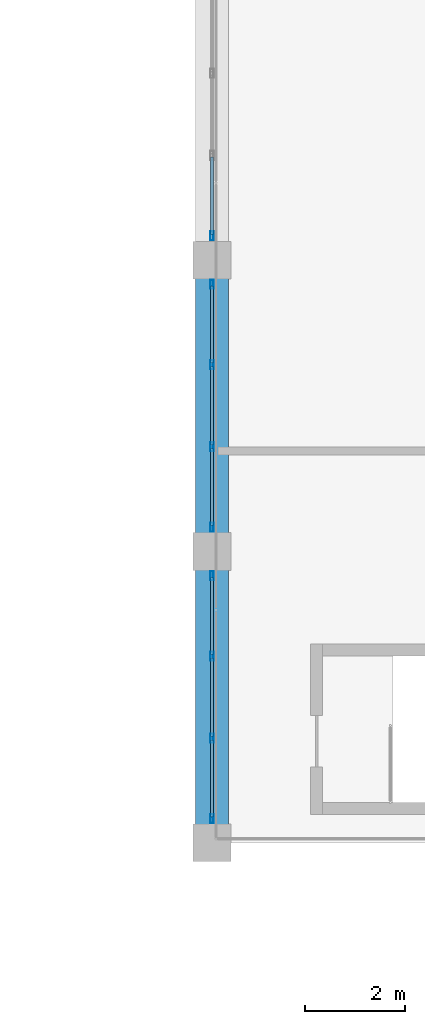
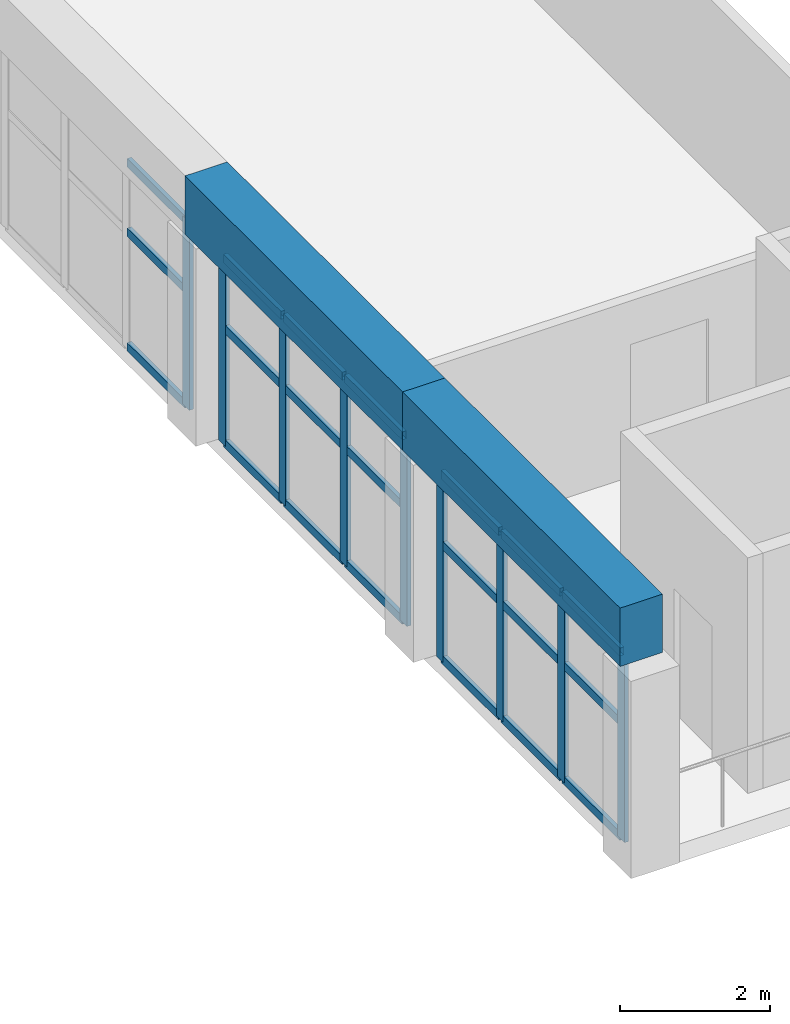
# One storey, part 28 of 128: 30 members, 2 beams, 3 elements without a shape of their own.
"""IFC4 building model written with IfcOpenShell, lengths in metres."""

from ifc_helpers import new_model, si_unit, direction, frame, origin, origin_2d, place, context, subcontext, project, spatial, rectangle, hollow_rectangle, extrude, material, material_profile, profile_set, type_object, element, aggregate, save


model = new_model("IFC4")

# Units and contexts
model_context = context("Model", 3, precision=1e-05, world=origin(), true_north=direction((0.0, 1.0)))
body_context = subcontext(model_context, "Body", "Model", "MODEL_VIEW")
ifc_project = project(units=[si_unit("LENGTHUNIT", "METRE"), si_unit("AREAUNIT", "SQUARE_METRE"), si_unit("VOLUMEUNIT", "CUBIC_METRE"), si_unit("PLANEANGLEUNIT", "RADIAN"), si_unit("MASSUNIT", "GRAM", prefix="KILO")], contexts=[model_context])

# Site, building, storey
site_placement = place(None, origin())
site = spatial("IfcSite", under=ifc_project, at=site_placement, CompositionType="ELEMENT")
building_placement = place(site_placement, origin())
building = spatial("IfcBuilding", under=site, at=building_placement, Name="Tanwirah Colonnade Gardens", CompositionType="ELEMENT")
storey_placement = place(building_placement, frame((0.0, 0.0, 4.760009765625)))
storey = spatial("IfcBuildingStorey", under=building, at=storey_placement, Name="L01", CompositionType="ELEMENT", Elevation=4.760009765625)

# Curtain wall, members
ifc_material_1 = material(Name="Bronze-anodised aluminium and solar-control low-E glass", Category="aluminium")
curtain_wall_type = type_object("IfcCurtainWallType", Name="CW-HALL", PredefinedType="NOTDEFINED", material=ifc_material_1)
curtain_wall_1_placement = place(storey_placement, origin())
curtain_wall_1 = element("IfcCurtainWall", 1, at=curtain_wall_1_placement, inside=storey, type_object=curtain_wall_type, Name="Curtain Wall CW-HALL-L01-W-1", PredefinedType="NOTDEFINED")
ifc_material_2 = material(Name="Bronze-anodised aluminium", Category="aluminium")
ifc_material_profile_1 = material_profile(ifc_material_2, hollow_rectangle(XDim=0.06494140625, YDim=0.179931640625, WallThickness=0.00390625, at=origin_2d()), Name="CW-MUL 65x180x4")
ifc_profile_set_1 = profile_set([ifc_material_profile_1], Name="Bronze-anodised aluminium")
member_type_1 = type_object("IfcMemberType", Name="CWM-65x180", PredefinedType="MULLION", material=ifc_profile_set_1)
member_1_placement = place(storey_placement, frame((78.0, 40.282470703125, 0.0), z_axis=(0.0, 0.0, 1.0), x_axis=(-1.0, 0.0, 0.0)))
member_1 = element("IfcMember", 2, at=member_1_placement, type_object=member_type_1, Name="CW-HALL mullion 1", PredefinedType="MULLION", context=body_context, shape_type="SweptSolid", body=[
    extrude(hollow_rectangle(XDim=0.06494140625, YDim=0.179931640625, WallThickness=0.00390625, at=origin_2d()), origin(), (0.0, 0.0, 1.0), 3.06005859375),
])
member_2_placement = place(storey_placement, frame((78.0, 41.88330078125, 0.0), z_axis=(0.0, 0.0, 1.0), x_axis=(-1.0, 0.0, 0.0)))
member_2 = element("IfcMember", 3, at=member_2_placement, type_object=member_type_1, Name="CW-HALL mullion 2", PredefinedType="MULLION", context=body_context, shape_type="SweptSolid", body=[
    extrude(hollow_rectangle(XDim=0.06494140625, YDim=0.179931640625, WallThickness=0.00390625, at=origin_2d()), origin(), (0.0, 0.0, 1.0), 3.06005859375),
])
member_3_placement = place(storey_placement, frame((78.0, 43.5166015625, 0.0), z_axis=(0.0, 0.0, 1.0), x_axis=(-1.0, 0.0, 0.0)))
member_3 = element("IfcMember", 4, at=member_3_placement, type_object=member_type_1, Name="CW-HALL mullion 3", PredefinedType="MULLION", context=body_context, shape_type="SweptSolid", body=[
    extrude(hollow_rectangle(XDim=0.06494140625, YDim=0.179931640625, WallThickness=0.00390625, at=origin_2d()), origin(), (0.0, 0.0, 1.0), 3.06005859375),
])
member_4_placement = place(storey_placement, frame((78.0, 45.117431640625, 0.0), z_axis=(0.0, 0.0, 1.0), x_axis=(-1.0, 0.0, 0.0)))
member_4 = element("IfcMember", 5, at=member_4_placement, type_object=member_type_1, Name="CW-HALL mullion 4", PredefinedType="MULLION", context=body_context, shape_type="SweptSolid", body=[
    extrude(hollow_rectangle(XDim=0.06494140625, YDim=0.179931640625, WallThickness=0.00390625, at=origin_2d()), origin(), (0.0, 0.0, 1.0), 3.06005859375),
])

curtain_wall_2_placement = place(storey_placement, origin())
curtain_wall_2 = element("IfcCurtainWall", 6, at=curtain_wall_2_placement, inside=storey, type_object=curtain_wall_type, Name="Curtain Wall CW-HALL-L01-W-2", PredefinedType="NOTDEFINED")
member_5_placement = place(storey_placement, frame((78.0, 46.08251953125, 0.0), z_axis=(0.0, 0.0, 1.0), x_axis=(-1.0, 0.0, 0.0)))
member_5 = element("IfcMember", 7, at=member_5_placement, type_object=member_type_1, Name="CW-HALL mullion 1", PredefinedType="MULLION", context=body_context, shape_type="SweptSolid", body=[
    extrude(hollow_rectangle(XDim=0.06494140625, YDim=0.179931640625, WallThickness=0.00390625, at=origin_2d()), origin(), (0.0, 0.0, 1.0), 3.06005859375),
])
member_6_placement = place(storey_placement, frame((78.0, 47.683349609375, 0.0), z_axis=(0.0, 0.0, 1.0), x_axis=(-1.0, 0.0, 0.0)))
member_6 = element("IfcMember", 8, at=member_6_placement, type_object=member_type_1, Name="CW-HALL mullion 2", PredefinedType="MULLION", context=body_context, shape_type="SweptSolid", body=[
    extrude(hollow_rectangle(XDim=0.06494140625, YDim=0.179931640625, WallThickness=0.00390625, at=origin_2d()), origin(), (0.0, 0.0, 1.0), 3.06005859375),
])
member_7_placement = place(storey_placement, frame((78.0, 49.316650390625, 0.0), z_axis=(0.0, 0.0, 1.0), x_axis=(-1.0, 0.0, 0.0)))
member_7 = element("IfcMember", 9, at=member_7_placement, type_object=member_type_1, Name="CW-HALL mullion 3", PredefinedType="MULLION", context=body_context, shape_type="SweptSolid", body=[
    extrude(hollow_rectangle(XDim=0.06494140625, YDim=0.179931640625, WallThickness=0.00390625, at=origin_2d()), origin(), (0.0, 0.0, 1.0), 3.06005859375),
])
member_8_placement = place(storey_placement, frame((78.0, 50.91748046875, 0.0), z_axis=(0.0, 0.0, 1.0), x_axis=(-1.0, 0.0, 0.0)))
member_8 = element("IfcMember", 10, at=member_8_placement, type_object=member_type_1, Name="CW-HALL mullion 4", PredefinedType="MULLION", context=body_context, shape_type="SweptSolid", body=[
    extrude(hollow_rectangle(XDim=0.06494140625, YDim=0.179931640625, WallThickness=0.00390625, at=origin_2d()), origin(), (0.0, 0.0, 1.0), 3.06005859375),
])

# Curtain wall, member
curtain_wall_3_placement = place(storey_placement, origin())
curtain_wall_3 = element("IfcCurtainWall", 11, at=curtain_wall_3_placement, inside=storey, type_object=curtain_wall_type, Name="Curtain Wall CW-HALL-L01-W-3", PredefinedType="NOTDEFINED")
member_9_placement = place(storey_placement, frame((78.0, 51.882568359375, 0.0), z_axis=(0.0, 0.0, 1.0), x_axis=(-1.0, 0.0, 0.0)))
member_9 = element("IfcMember", 12, at=member_9_placement, type_object=member_type_1, Name="CW-HALL mullion 1", PredefinedType="MULLION", context=body_context, shape_type="SweptSolid", body=[
    extrude(hollow_rectangle(XDim=0.06494140625, YDim=0.179931640625, WallThickness=0.00390625, at=origin_2d()), origin(), (0.0, 0.0, 1.0), 3.06005859375),
])

# Member
ifc_material_profile_2 = material_profile(ifc_material_2, hollow_rectangle(XDim=0.06494140625, YDim=0.135009765625, WallThickness=0.00390625, at=origin_2d()), Name="CW-TRN 65x135x4")
ifc_profile_set_2 = profile_set([ifc_material_profile_2], Name="Bronze-anodised aluminium")
member_type_2 = type_object("IfcMemberType", Name="CWT-65x135", PredefinedType="USERDEFINED", material=ifc_profile_set_2)
member_10_placement = place(storey_placement, frame((78.0, 40.31494140625, 0.032470703125), z_axis=(0.0, 1.0, 0.0), x_axis=(-1.0, 0.0, 0.0)))
member_10 = element("IfcMember", 13, at=member_10_placement, type_object=member_type_2, Name="CW-HALL transom 1.1", ObjectType="TRANSOM", PredefinedType="USERDEFINED", context=body_context, shape_type="SweptSolid", body=[
    extrude(hollow_rectangle(XDim=0.06494140625, YDim=0.135009765625, WallThickness=0.00390625, at=origin_2d()), origin(), (0.0, 0.0, 1.0), 1.535888671875),
])

member_11_placement = place(storey_placement, frame((78.0, 40.31494140625, 1.897216796875), z_axis=(0.0, 1.0, 0.0), x_axis=(-1.0, 0.0, 0.0)))
member_11 = element("IfcMember", 14, at=member_11_placement, type_object=member_type_2, Name="CW-HALL transom 1.2", ObjectType="TRANSOM", PredefinedType="USERDEFINED", context=body_context, shape_type="SweptSolid", body=[
    extrude(hollow_rectangle(XDim=0.06494140625, YDim=0.135009765625, WallThickness=0.00390625, at=origin_2d()), origin(), (0.0, 0.0, 1.0), 1.535888671875),
])

member_12_placement = place(storey_placement, frame((78.0, 40.31494140625, 3.027587890625), z_axis=(0.0, 1.0, 0.0), x_axis=(-1.0, 0.0, 0.0)))
member_12 = element("IfcMember", 15, at=member_12_placement, type_object=member_type_2, Name="CW-HALL transom 1.3", ObjectType="TRANSOM", PredefinedType="USERDEFINED", context=body_context, shape_type="SweptSolid", body=[
    extrude(hollow_rectangle(XDim=0.06494140625, YDim=0.135009765625, WallThickness=0.00390625, at=origin_2d()), origin(), (0.0, 0.0, 1.0), 1.535888671875),
])

member_13_placement = place(storey_placement, frame((78.0, 41.915771484375, 0.032470703125), z_axis=(0.0, 1.0, 0.0), x_axis=(-1.0, 0.0, 0.0)))
member_13 = element("IfcMember", 16, at=member_13_placement, type_object=member_type_2, Name="CW-HALL transom 2.1", ObjectType="TRANSOM", PredefinedType="USERDEFINED", context=body_context, shape_type="SweptSolid", body=[
    extrude(hollow_rectangle(XDim=0.06494140625, YDim=0.135009765625, WallThickness=0.00390625, at=origin_2d()), origin(), (0.0, 0.0, 1.0), 1.568359375),
])

member_14_placement = place(storey_placement, frame((78.0, 41.915771484375, 1.897216796875), z_axis=(0.0, 1.0, 0.0), x_axis=(-1.0, 0.0, 0.0)))
member_14 = element("IfcMember", 17, at=member_14_placement, type_object=member_type_2, Name="CW-HALL transom 2.2", ObjectType="TRANSOM", PredefinedType="USERDEFINED", context=body_context, shape_type="SweptSolid", body=[
    extrude(hollow_rectangle(XDim=0.06494140625, YDim=0.135009765625, WallThickness=0.00390625, at=origin_2d()), origin(), (0.0, 0.0, 1.0), 1.568359375),
])

member_15_placement = place(storey_placement, frame((78.0, 41.915771484375, 3.027587890625), z_axis=(0.0, 1.0, 0.0), x_axis=(-1.0, 0.0, 0.0)))
member_15 = element("IfcMember", 18, at=member_15_placement, type_object=member_type_2, Name="CW-HALL transom 2.3", ObjectType="TRANSOM", PredefinedType="USERDEFINED", context=body_context, shape_type="SweptSolid", body=[
    extrude(hollow_rectangle(XDim=0.06494140625, YDim=0.135009765625, WallThickness=0.00390625, at=origin_2d()), origin(), (0.0, 0.0, 1.0), 1.568359375),
])

member_16_placement = place(storey_placement, frame((78.0, 43.549072265625, 0.032470703125), z_axis=(0.0, 1.0, 0.0), x_axis=(-1.0, 0.0, 0.0)))
member_16 = element("IfcMember", 19, at=member_16_placement, type_object=member_type_2, Name="CW-HALL transom 3.1", ObjectType="TRANSOM", PredefinedType="USERDEFINED", context=body_context, shape_type="SweptSolid", body=[
    extrude(hollow_rectangle(XDim=0.06494140625, YDim=0.135009765625, WallThickness=0.00390625, at=origin_2d()), origin(), (0.0, 0.0, 1.0), 1.535888671875),
])

member_17_placement = place(storey_placement, frame((78.0, 43.549072265625, 1.897216796875), z_axis=(0.0, 1.0, 0.0), x_axis=(-1.0, 0.0, 0.0)))
member_17 = element("IfcMember", 20, at=member_17_placement, type_object=member_type_2, Name="CW-HALL transom 3.2", ObjectType="TRANSOM", PredefinedType="USERDEFINED", context=body_context, shape_type="SweptSolid", body=[
    extrude(hollow_rectangle(XDim=0.06494140625, YDim=0.135009765625, WallThickness=0.00390625, at=origin_2d()), origin(), (0.0, 0.0, 1.0), 1.535888671875),
])

member_18_placement = place(storey_placement, frame((78.0, 43.549072265625, 3.027587890625), z_axis=(0.0, 1.0, 0.0), x_axis=(-1.0, 0.0, 0.0)))
member_18 = element("IfcMember", 21, at=member_18_placement, type_object=member_type_2, Name="CW-HALL transom 3.3", ObjectType="TRANSOM", PredefinedType="USERDEFINED", context=body_context, shape_type="SweptSolid", body=[
    extrude(hollow_rectangle(XDim=0.06494140625, YDim=0.135009765625, WallThickness=0.00390625, at=origin_2d()), origin(), (0.0, 0.0, 1.0), 1.535888671875),
])

aggregate(curtain_wall_1, [member_1, member_2, member_3, member_4, member_10, member_11, member_12, member_13, member_14, member_15, member_16, member_17, member_18])

member_19_placement = place(storey_placement, frame((78.0, 46.114990234375, 0.032470703125), z_axis=(0.0, 1.0, 0.0), x_axis=(-1.0, 0.0, 0.0)))
member_19 = element("IfcMember", 22, at=member_19_placement, type_object=member_type_2, Name="CW-HALL transom 1.1", ObjectType="TRANSOM", PredefinedType="USERDEFINED", context=body_context, shape_type="SweptSolid", body=[
    extrude(hollow_rectangle(XDim=0.06494140625, YDim=0.135009765625, WallThickness=0.00390625, at=origin_2d()), origin(), (0.0, 0.0, 1.0), 1.535888671875),
])

member_20_placement = place(storey_placement, frame((78.0, 46.114990234375, 1.897216796875), z_axis=(0.0, 1.0, 0.0), x_axis=(-1.0, 0.0, 0.0)))
member_20 = element("IfcMember", 23, at=member_20_placement, type_object=member_type_2, Name="CW-HALL transom 1.2", ObjectType="TRANSOM", PredefinedType="USERDEFINED", context=body_context, shape_type="SweptSolid", body=[
    extrude(hollow_rectangle(XDim=0.06494140625, YDim=0.135009765625, WallThickness=0.00390625, at=origin_2d()), origin(), (0.0, 0.0, 1.0), 1.535888671875),
])

member_21_placement = place(storey_placement, frame((78.0, 46.114990234375, 3.027587890625), z_axis=(0.0, 1.0, 0.0), x_axis=(-1.0, 0.0, 0.0)))
member_21 = element("IfcMember", 24, at=member_21_placement, type_object=member_type_2, Name="CW-HALL transom 1.3", ObjectType="TRANSOM", PredefinedType="USERDEFINED", context=body_context, shape_type="SweptSolid", body=[
    extrude(hollow_rectangle(XDim=0.06494140625, YDim=0.135009765625, WallThickness=0.00390625, at=origin_2d()), origin(), (0.0, 0.0, 1.0), 1.535888671875),
])

member_22_placement = place(storey_placement, frame((78.0, 47.7158203125, 0.032470703125), z_axis=(0.0, 1.0, 0.0), x_axis=(-1.0, 0.0, 0.0)))
member_22 = element("IfcMember", 25, at=member_22_placement, type_object=member_type_2, Name="CW-HALL transom 2.1", ObjectType="TRANSOM", PredefinedType="USERDEFINED", context=body_context, shape_type="SweptSolid", body=[
    extrude(hollow_rectangle(XDim=0.06494140625, YDim=0.135009765625, WallThickness=0.00390625, at=origin_2d()), origin(), (0.0, 0.0, 1.0), 1.568359375),
])

member_23_placement = place(storey_placement, frame((78.0, 47.7158203125, 1.897216796875), z_axis=(0.0, 1.0, 0.0), x_axis=(-1.0, 0.0, 0.0)))
member_23 = element("IfcMember", 26, at=member_23_placement, type_object=member_type_2, Name="CW-HALL transom 2.2", ObjectType="TRANSOM", PredefinedType="USERDEFINED", context=body_context, shape_type="SweptSolid", body=[
    extrude(hollow_rectangle(XDim=0.06494140625, YDim=0.135009765625, WallThickness=0.00390625, at=origin_2d()), origin(), (0.0, 0.0, 1.0), 1.568359375),
])

member_24_placement = place(storey_placement, frame((78.0, 47.7158203125, 3.027587890625), z_axis=(0.0, 1.0, 0.0), x_axis=(-1.0, 0.0, 0.0)))
member_24 = element("IfcMember", 27, at=member_24_placement, type_object=member_type_2, Name="CW-HALL transom 2.3", ObjectType="TRANSOM", PredefinedType="USERDEFINED", context=body_context, shape_type="SweptSolid", body=[
    extrude(hollow_rectangle(XDim=0.06494140625, YDim=0.135009765625, WallThickness=0.00390625, at=origin_2d()), origin(), (0.0, 0.0, 1.0), 1.568359375),
])

member_25_placement = place(storey_placement, frame((78.0, 49.34912109375, 0.032470703125), z_axis=(0.0, 1.0, 0.0), x_axis=(-1.0, 0.0, 0.0)))
member_25 = element("IfcMember", 28, at=member_25_placement, type_object=member_type_2, Name="CW-HALL transom 3.1", ObjectType="TRANSOM", PredefinedType="USERDEFINED", context=body_context, shape_type="SweptSolid", body=[
    extrude(hollow_rectangle(XDim=0.06494140625, YDim=0.135009765625, WallThickness=0.00390625, at=origin_2d()), origin(), (0.0, 0.0, 1.0), 1.535888671875),
])

member_26_placement = place(storey_placement, frame((78.0, 49.34912109375, 1.897216796875), z_axis=(0.0, 1.0, 0.0), x_axis=(-1.0, 0.0, 0.0)))
member_26 = element("IfcMember", 29, at=member_26_placement, type_object=member_type_2, Name="CW-HALL transom 3.2", ObjectType="TRANSOM", PredefinedType="USERDEFINED", context=body_context, shape_type="SweptSolid", body=[
    extrude(hollow_rectangle(XDim=0.06494140625, YDim=0.135009765625, WallThickness=0.00390625, at=origin_2d()), origin(), (0.0, 0.0, 1.0), 1.535888671875),
])

member_27_placement = place(storey_placement, frame((78.0, 49.34912109375, 3.027587890625), z_axis=(0.0, 1.0, 0.0), x_axis=(-1.0, 0.0, 0.0)))
member_27 = element("IfcMember", 30, at=member_27_placement, type_object=member_type_2, Name="CW-HALL transom 3.3", ObjectType="TRANSOM", PredefinedType="USERDEFINED", context=body_context, shape_type="SweptSolid", body=[
    extrude(hollow_rectangle(XDim=0.06494140625, YDim=0.135009765625, WallThickness=0.00390625, at=origin_2d()), origin(), (0.0, 0.0, 1.0), 1.535888671875),
])

aggregate(curtain_wall_2, [member_5, member_6, member_7, member_8, member_19, member_20, member_21, member_22, member_23, member_24, member_25, member_26, member_27])

member_28_placement = place(storey_placement, frame((78.0, 51.9150390625, 0.032470703125), z_axis=(0.0, 1.0, 0.0), x_axis=(-1.0, 0.0, 0.0)))
member_28 = element("IfcMember", 31, at=member_28_placement, type_object=member_type_2, Name="CW-HALL transom 1.1", ObjectType="TRANSOM", PredefinedType="USERDEFINED", context=body_context, shape_type="SweptSolid", body=[
    extrude(hollow_rectangle(XDim=0.06494140625, YDim=0.135009765625, WallThickness=0.00390625, at=origin_2d()), origin(), (0.0, 0.0, 1.0), 1.535888671875),
])

member_29_placement = place(storey_placement, frame((78.0, 51.9150390625, 1.897216796875), z_axis=(0.0, 1.0, 0.0), x_axis=(-1.0, 0.0, 0.0)))
member_29 = element("IfcMember", 32, at=member_29_placement, type_object=member_type_2, Name="CW-HALL transom 1.2", ObjectType="TRANSOM", PredefinedType="USERDEFINED", context=body_context, shape_type="SweptSolid", body=[
    extrude(hollow_rectangle(XDim=0.06494140625, YDim=0.135009765625, WallThickness=0.00390625, at=origin_2d()), origin(), (0.0, 0.0, 1.0), 1.535888671875),
])

member_30_placement = place(storey_placement, frame((78.0, 51.9150390625, 3.027587890625), z_axis=(0.0, 1.0, 0.0), x_axis=(-1.0, 0.0, 0.0)))
member_30 = element("IfcMember", 33, at=member_30_placement, type_object=member_type_2, Name="CW-HALL transom 1.3", ObjectType="TRANSOM", PredefinedType="USERDEFINED", context=body_context, shape_type="SweptSolid", body=[
    extrude(hollow_rectangle(XDim=0.06494140625, YDim=0.135009765625, WallThickness=0.00390625, at=origin_2d()), origin(), (0.0, 0.0, 1.0), 1.535888671875),
])

aggregate(curtain_wall_3, [member_9, member_28, member_29, member_30])

# Beams
ifc_material_3 = material(Name="Concrete C45/55", Category="concrete")
ifc_material_profile_3 = material_profile(ifc_material_3, rectangle(XDim=0.64990234375, YDim=0.949951171875, at=origin_2d()), Name="RC-RB 650x950")
ifc_profile_set_3 = profile_set([ifc_material_profile_3], Name="Concrete C45/55")
beam_type = type_object("IfcBeamType", Name="RB-V650", PredefinedType="BEAM", material=ifc_profile_set_3)
beam_1_placement = place(storey_placement, frame((78.0, 39.800048828125, 3.68505859375), z_axis=(0.0, 1.0, 0.0), x_axis=(-1.0, 0.0, 0.0)))
element("IfcBeam", 34, at=beam_1_placement, inside=storey, type_object=beam_type, Name="Community Hall Vault Ring Beam W-1", PredefinedType="BEAM", context=body_context, shape_type="SweptSolid", body=[
    extrude(rectangle(XDim=0.64990234375, YDim=0.949951171875, at=origin_2d()), origin(), (0.0, 0.0, 1.0), 5.800048828125),
])
beam_2_placement = place(storey_placement, frame((78.0, 45.60009765625, 3.68505859375), z_axis=(0.0, 1.0, 0.0), x_axis=(-1.0, 0.0, 0.0)))
element("IfcBeam", 35, at=beam_2_placement, inside=storey, type_object=beam_type, Name="Community Hall Vault Ring Beam W-2", PredefinedType="BEAM", context=body_context, shape_type="SweptSolid", body=[
    extrude(rectangle(XDim=0.64990234375, YDim=0.949951171875, at=origin_2d()), origin(), (0.0, 0.0, 1.0), 5.7998046875),
])

save(model, "model.ifc")
